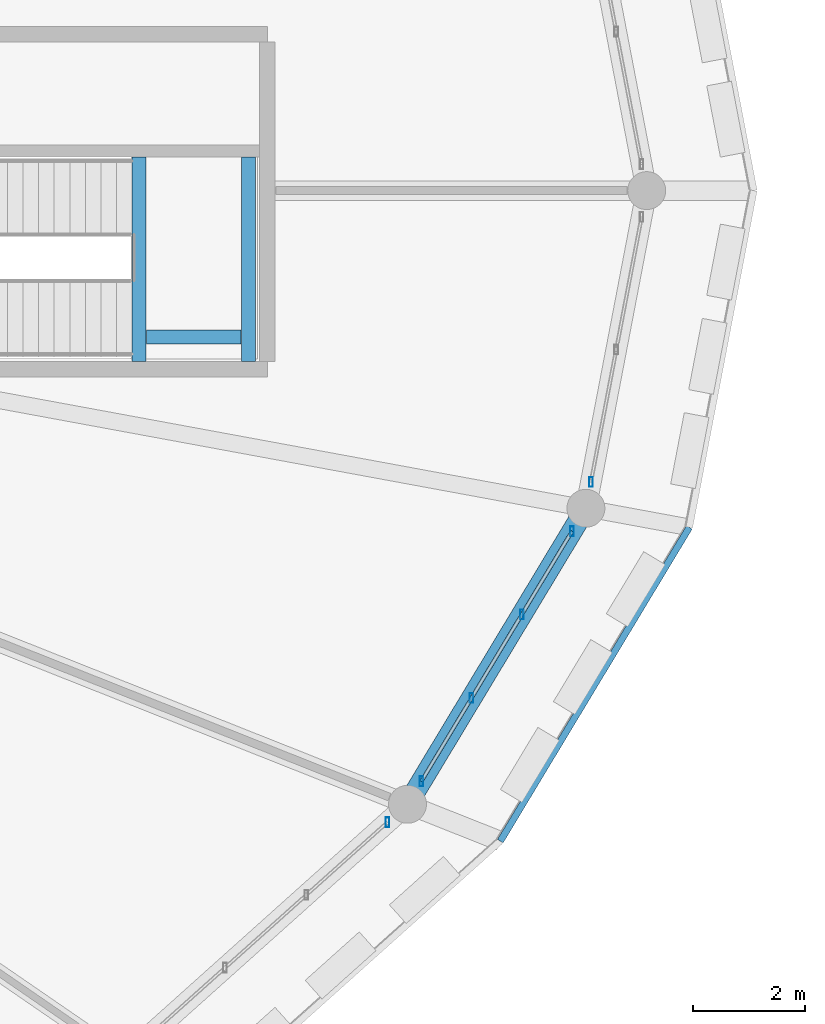
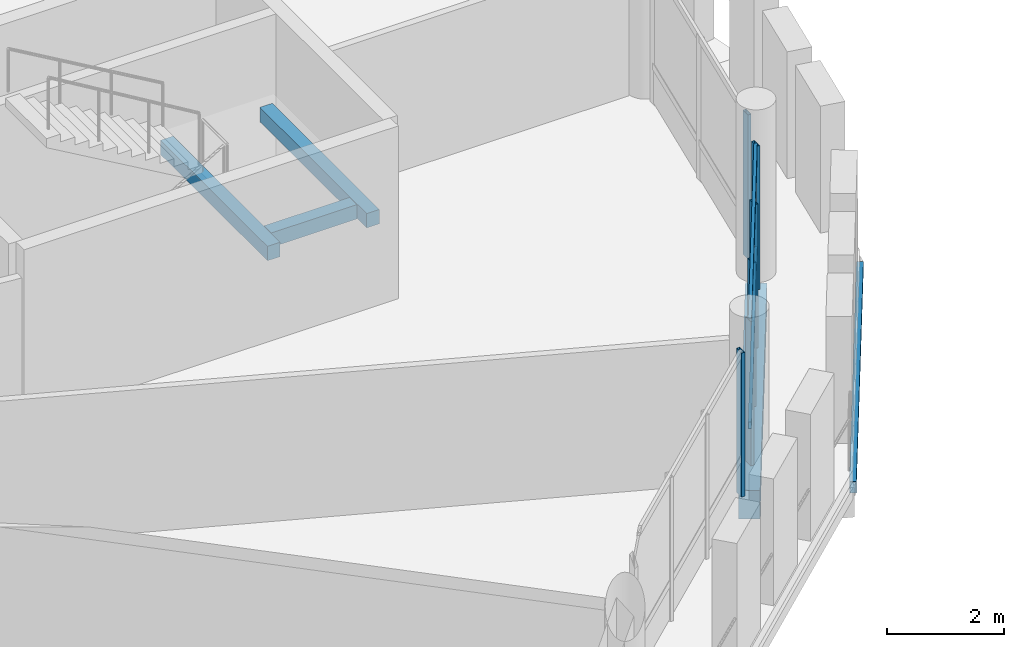
# One storey, part 54 of 128: 8 members, 5 beams, 3 elements without a shape of their own.
"""IFC4 building model written with IfcOpenShell, lengths in metres."""

from ifc_helpers import new_model, si_unit, direction, frame, origin, origin_2d, place, context, subcontext, project, spatial, rectangle, hollow_rectangle, extrude, material, material_profile, profile_set, type_object, element, aggregate, save


model = new_model("IFC4")

# Units and contexts
model_context = context("Model", 3, precision=1e-05, world=origin(), true_north=direction((0.0, 1.0)))
body_context = subcontext(model_context, "Body", "Model", "MODEL_VIEW")
ifc_project = project(units=[si_unit("LENGTHUNIT", "METRE"), si_unit("AREAUNIT", "SQUARE_METRE"), si_unit("VOLUMEUNIT", "CUBIC_METRE"), si_unit("PLANEANGLEUNIT", "RADIAN"), si_unit("MASSUNIT", "GRAM", prefix="KILO")], contexts=[model_context])

# Site, building, storey
site_placement = place(None, origin())
site = spatial("IfcSite", under=ifc_project, at=site_placement, CompositionType="ELEMENT")
building_placement = place(site_placement, origin())
building = spatial("IfcBuilding", under=site, at=building_placement, Name="Zornivar Specialist Clinic", CompositionType="ELEMENT")
storey_placement = place(building_placement, frame((0.0, 0.0, 4.5)))
storey = spatial("IfcBuildingStorey", under=building, at=storey_placement, Name="L01", CompositionType="ELEMENT", Elevation=4.5)

# Beams
ifc_material_1 = material(Name="Concrete C30/37", Category="concrete")
ifc_material_profile_1 = material_profile(ifc_material_1, rectangle(XDim=0.25, YDim=0.300048828125, at=origin_2d()), Name="RC 250x300")
ifc_profile_set_1 = profile_set([ifc_material_profile_1], Name="Concrete C30/37")
beam_type_1 = type_object("IfcBeamType", Name="BM-LAND-250x300", PredefinedType="BEAM", material=ifc_profile_set_1)
for number, where, z_axis, x_axis, name in (
    (1, (116.5, 54.5400390625, 1.6201171875), (0.0, 1.0, 0.0), (-1.0, 0.0, 0.0), "bm:stair:C4:L01:lW"),
    (2, (118.4599609375, 54.5400390625, 1.6201171875), (0.0, 1.0, 0.0), (-1.0, 0.0, 0.0), "bm:stair:C4:L01:lE"),
):
    element("IfcBeam", number, at=place(storey_placement, frame(where, z_axis=z_axis, x_axis=x_axis)), inside=storey, type_object=beam_type_1, Name=name, PredefinedType="BEAM", context=body_context, shape_type="SweptSolid", body=[
        extrude(rectangle(XDim=0.25, YDim=0.300048828125, at=origin_2d()), origin(), (0.0, 0.0, 1.0), 3.659912109375),
    ])
beam_1_placement = place(storey_placement, frame((116.635009765625, 54.97998046875, 1.6201171875), z_axis=(1.0, 0.0, 0.0), x_axis=(0.0, 1.0, 0.0)))
element("IfcBeam", 3, at=beam_1_placement, inside=storey, type_object=beam_type_1, Name="bm:stair:C4:L01:lS", PredefinedType="BEAM", context=body_context, shape_type="SweptSolid", body=[
    extrude(rectangle(XDim=0.25, YDim=0.300048828125, at=origin_2d()), origin(), (0.0, 0.0, 1.0), 1.68994140625),
])
ifc_material_2 = material(Name="Concrete C30/37", Category="concrete")
ifc_material_profile_2 = material_profile(ifc_material_2, rectangle(XDim=0.3701171875, YDim=0.60009765625, at=origin_2d()), Name="RC 370x600")
ifc_profile_set_2 = profile_set([ifc_material_profile_2], Name="Concrete C30/37")
beam_type_2 = type_object("IfcBeamType", Name="BM-RC-SPANDREL-370x600", PredefinedType="SPANDREL", material=ifc_profile_set_2)
beam_2_placement = place(storey_placement, frame((121.31298828125, 46.60009765625, -0.5400390625), z_axis=(0.516094506256, 0.856531646007, 0.0), x_axis=(-0.856531646007, 0.516094506256, 0.0)))
element("IfcBeam", 4, at=beam_2_placement, inside=storey, type_object=beam_type_2, Name="bm:V1:L01:outring:22", PredefinedType="SPANDREL", context=body_context, shape_type="SweptSolid", body=[
    extrude(rectangle(XDim=0.3701171875, YDim=0.60009765625, at=origin_2d()), origin(), (0.0, 0.0, 1.0), 6.194580078125),
])
ifc_material_3 = material(Name="Steel S355J2", Category="steel")
ifc_material_profile_3 = material_profile(ifc_material_3, hollow_rectangle(XDim=0.1201171875, YDim=0.239990234375, WallThickness=0.008056640625, at=origin_2d()), Name="RHS 240x120x8")
ifc_profile_set_3 = profile_set([ifc_material_profile_3], Name="Steel S355J2")
beam_type_3 = type_object("IfcBeamType", Name="BM-STL-RHS240", PredefinedType="JOIST", material=ifc_profile_set_3)
beam_3_placement = place(storey_placement, frame((122.97607421875, 45.93994140625, -0.360107421875), z_axis=(0.516009675347, 0.856582754291, 0.0), x_axis=(-0.856582754291, 0.516009675347, 0.0)))
element("IfcBeam", 5, at=beam_3_placement, inside=storey, type_object=beam_type_3, Name="bm:V1:L01:balring:22", PredefinedType="JOIST", context=body_context, shape_type="SweptSolid", body=[
    extrude(hollow_rectangle(XDim=0.1201171875, YDim=0.239990234375, WallThickness=0.008056640625, at=origin_2d()), origin(), (0.0, 0.0, 1.0), 6.565673828125),
])

# Curtain wall, member
ifc_material_4 = material(Name="Aluminium and Low-E Glass Curtain Wall", Category="aluminium")
curtain_wall_type = type_object("IfcCurtainWallType", Name="CW-DRUM-FACET", PredefinedType="NOTDEFINED", material=ifc_material_4)
curtain_wall_1_placement = place(storey_placement, origin())
curtain_wall_1 = element("IfcCurtainWall", 6, at=curtain_wall_1_placement, inside=storey, type_object=curtain_wall_type, Name="cw:V1:L01:c21", PredefinedType="NOTDEFINED")
ifc_material_5 = material(Name="Aluminium AW-6060", Category="aluminium")
ifc_material_profile_4 = material_profile(ifc_material_5, hollow_rectangle(XDim=0.06494140625, YDim=0.175048828125, WallThickness=0.00439453125, at=origin_2d()), Name="ALU 65x175x4.5")
ifc_profile_set_4 = profile_set([ifc_material_profile_4], Name="Aluminium AW-6060")
member_type_1 = type_object("IfcMemberType", Name="CWM-MUL-175", PredefinedType="MULLION", material=ifc_profile_set_4)
member_1_placement = place(storey_placement, frame((120.955078125, 46.279052734375, 0.0), z_axis=(0.0, 0.0, 1.0), x_axis=(1.0, 0.0, 0.0)))
member_1 = element("IfcMember", 7, at=member_1_placement, type_object=member_type_1, Name="cw:V1:L01:c21:mul:3", PredefinedType="MULLION", context=body_context, shape_type="SweptSolid", body=[
    extrude(hollow_rectangle(XDim=0.06494140625, YDim=0.175048828125, WallThickness=0.00439453125, at=origin_2d()), origin(), (0.0, 0.0, 1.0), 3.010009765625),
])
aggregate(curtain_wall_1, [member_1])

# Curtain wall, members
curtain_wall_2_placement = place(storey_placement, origin())
curtain_wall_2 = element("IfcCurtainWall", 8, at=curtain_wall_2_placement, inside=storey, type_object=curtain_wall_type, Name="cw:V1:L01:c22", PredefinedType="NOTDEFINED")
member_2_placement = place(storey_placement, frame((121.56103515625, 47.010986328125, 0.0), z_axis=(0.0, 0.0, 1.0), x_axis=(1.0, 0.0, 0.0)))
member_2 = element("IfcMember", 9, at=member_2_placement, type_object=member_type_1, Name="cw:V1:L01:c22:mul:0", PredefinedType="MULLION", context=body_context, shape_type="SweptSolid", body=[
    extrude(hollow_rectangle(XDim=0.06494140625, YDim=0.175048828125, WallThickness=0.00439453125, at=origin_2d()), origin(), (0.0, 0.0, 1.0), 3.010009765625),
])
member_3_placement = place(storey_placement, frame((122.4609375, 48.506103515625, 0.0), z_axis=(0.0, 0.0, 1.0), x_axis=(1.0, 0.0, 0.0)))
member_3 = element("IfcMember", 10, at=member_3_placement, type_object=member_type_1, Name="cw:V1:L01:c22:mul:1", PredefinedType="MULLION", context=body_context, shape_type="SweptSolid", body=[
    extrude(hollow_rectangle(XDim=0.06494140625, YDim=0.175048828125, WallThickness=0.00439453125, at=origin_2d()), origin(), (0.0, 0.0, 1.0), 3.010009765625),
])
member_4_placement = place(storey_placement, frame((123.362060546875, 50.0009765625, 0.0), z_axis=(0.0, 0.0, 1.0), x_axis=(1.0, 0.0, 0.0)))
member_4 = element("IfcMember", 11, at=member_4_placement, type_object=member_type_1, Name="cw:V1:L01:c22:mul:2", PredefinedType="MULLION", context=body_context, shape_type="SweptSolid", body=[
    extrude(hollow_rectangle(XDim=0.06494140625, YDim=0.175048828125, WallThickness=0.00439453125, at=origin_2d()), origin(), (0.0, 0.0, 1.0), 3.010009765625),
])
member_5_placement = place(storey_placement, frame((124.261962890625, 51.4951171875, 0.0), z_axis=(0.0, 0.0, 1.0), x_axis=(1.0, 0.0, 0.0)))
member_5 = element("IfcMember", 12, at=member_5_placement, type_object=member_type_1, Name="cw:V1:L01:c22:mul:3", PredefinedType="MULLION", context=body_context, shape_type="SweptSolid", body=[
    extrude(hollow_rectangle(XDim=0.06494140625, YDim=0.175048828125, WallThickness=0.00439453125, at=origin_2d()), origin(), (0.0, 0.0, 1.0), 3.010009765625),
])

# Curtain wall, member
curtain_wall_3_placement = place(storey_placement, origin())
curtain_wall_3 = element("IfcCurtainWall", 13, at=curtain_wall_3_placement, inside=storey, type_object=curtain_wall_type, Name="cw:V1:L01:c23", PredefinedType="NOTDEFINED")
member_6_placement = place(storey_placement, frame((124.60107421875, 52.376953125, 0.0), z_axis=(0.0, 0.0, 1.0), x_axis=(1.0, 0.0, 0.0)))
member_6 = element("IfcMember", 14, at=member_6_placement, type_object=member_type_1, Name="cw:V1:L01:c23:mul:0", PredefinedType="MULLION", context=body_context, shape_type="SweptSolid", body=[
    extrude(hollow_rectangle(XDim=0.06494140625, YDim=0.175048828125, WallThickness=0.00439453125, at=origin_2d()), origin(), (0.0, 0.0, 1.0), 3.010009765625),
])
aggregate(curtain_wall_3, [member_6])

# Member
ifc_material_6 = material(Name="Aluminium AW-6060", Category="aluminium")
ifc_material_profile_5 = material_profile(ifc_material_6, hollow_rectangle(XDim=0.06005859375, YDim=0.14501953125, WallThickness=0.00390625, at=origin_2d()), Name="ALU 60x145x4")
ifc_profile_set_5 = profile_set([ifc_material_profile_5], Name="Aluminium AW-6060")
member_type_2 = type_object("IfcMemberType", Name="CWM-TRN-145", PredefinedType="USERDEFINED", material=ifc_profile_set_5)
member_7_placement = place(storey_placement, frame((121.56103515625, 47.010986328125, 0.782958984375), z_axis=(0.515962745671, 0.856611023207, 0.0), x_axis=(-0.856611023207, 0.515962745671, 0.0)))
member_7 = element("IfcMember", 15, at=member_7_placement, type_object=member_type_2, Name="cw:V1:L01:c22:trn:0", ObjectType="TRANSOM", PredefinedType="USERDEFINED", context=body_context, shape_type="SweptSolid", body=[
    extrude(hollow_rectangle(XDim=0.06005859375, YDim=0.14501953125, WallThickness=0.00390625, at=origin_2d()), origin(), (0.0, 0.0, 1.0), 5.234619140625),
])

member_8_placement = place(storey_placement, frame((121.56103515625, 47.010986328125, 2.945068359375), z_axis=(0.515962745671, 0.856611023207, 0.0), x_axis=(-0.856611023207, 0.515962745671, 0.0)))
member_8 = element("IfcMember", 16, at=member_8_placement, type_object=member_type_2, Name="cw:V1:L01:c22:trn:1", ObjectType="TRANSOM", PredefinedType="USERDEFINED", context=body_context, shape_type="SweptSolid", body=[
    extrude(hollow_rectangle(XDim=0.06005859375, YDim=0.14501953125, WallThickness=0.00390625, at=origin_2d()), origin(), (0.0, 0.0, 1.0), 5.234619140625),
])

aggregate(curtain_wall_2, [member_2, member_3, member_4, member_5, member_7, member_8])

save(model, "model.ifc")
